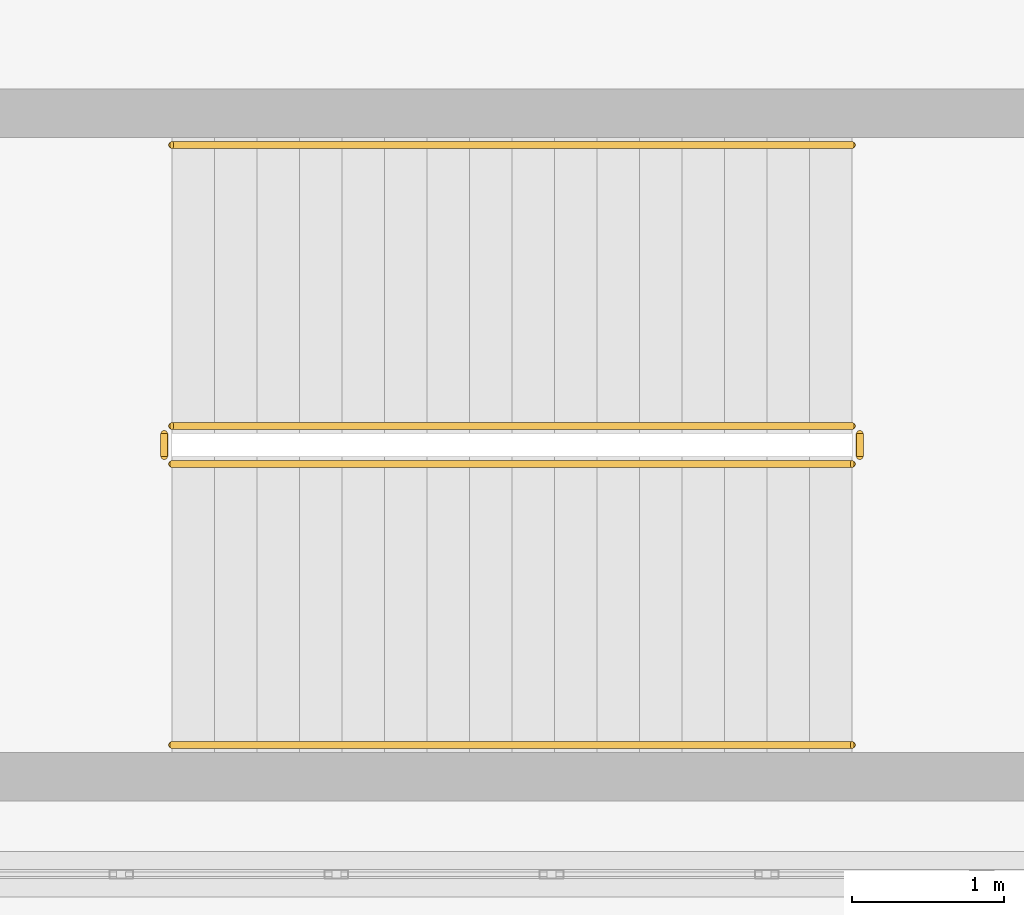
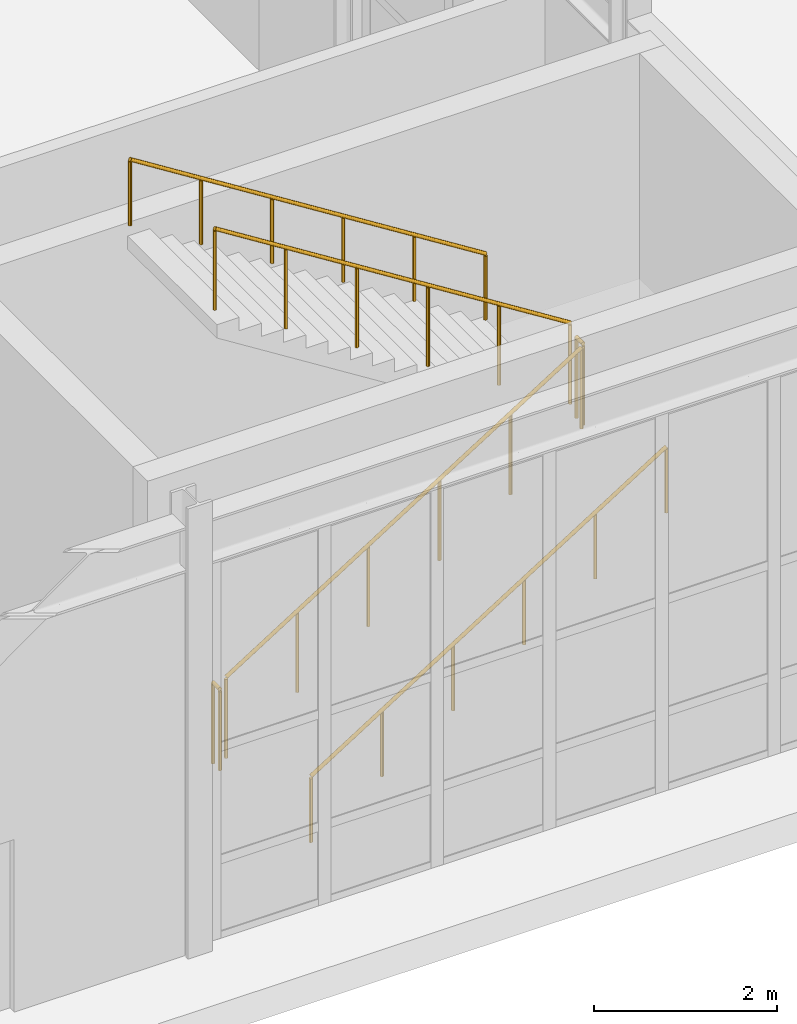
# One storey, part 132 of 146: 6 railings.
"""IFC4 building model written with IfcOpenShell, lengths in metres."""

import ifcopenshell
import ifcopenshell.guid

model = None  # the IFC model being written
_history = None  # IfcOwnerHistory: only IFC2X3 demands one
_inside = {}  # id of a spatial element -> (the spatial element, [elements in it])
_under = {}  # id of a project, library or spatial element -> (it, [spatial elements below it])
_declared = {}  # id of a project -> (the project, [libraries it declares])
_typed = {}  # id of a type object -> (the type object, [elements of that type])
_made_of = {}  # id of a material, layer set ... -> (it, [elements and type objects made of it])


def new_model(schema):
    """Start an empty IFC model of exactly this schema.

    Asked for "IFC4X3", IfcOpenShell would pick the latest addendum, in which some entities
    have other attributes; the version numbers below select the first issue.
    IFC2X3 requires an IfcOwnerHistory on every rooted entity: one is made here for all.
    """
    global model, _history
    if schema == "IFC4X3":
        model = ifcopenshell.file(schema_version=(4, 3, 0, 0))
    else:
        model = ifcopenshell.file(schema=schema)
    _inside.clear()
    _under.clear()
    _declared.clear()
    _typed.clear()
    _made_of.clear()
    _history = None
    if model.schema == "IFC2X3":
        org = make("IfcOrganization", Name="unknown")
        user = make(
            "IfcPersonAndOrganization",
            ThePerson=make("IfcPerson", FamilyName="unknown"),
            TheOrganization=org,
        )
        app = make(
            "IfcApplication",
            ApplicationDeveloper=org,
            Version="unknown",
            ApplicationFullName="unknown",
            ApplicationIdentifier="unknown",
        )
        _history = make(
            "IfcOwnerHistory",
            OwningUser=user,
            OwningApplication=app,
            ChangeAction="ADDED",
            CreationDate=0,
        )
    return model


def make(cls, **values):
    """One entity of the class cls with the attributes given. An attribute that is None is left unset."""
    return model.create_entity(
        cls, **{name: value for name, value in values.items() if value is not None}
    )


def rooted(cls, **values):
    """An entity with a GlobalId (a new one), such as an element, a storey or a relation."""
    return make(cls, GlobalId=ifcopenshell.guid.new(), OwnerHistory=_history, **values)


def si_unit(unit_type, name, prefix=None):
    """IfcSIUnit, for example si_unit("LENGTHUNIT", "METRE", prefix="MILLI")."""
    return make("IfcSIUnit", UnitType=unit_type, Prefix=prefix, Name=name)


def assignment(units):
    """IfcUnitAssignment: the units of a project."""
    return None if units is None else make("IfcUnitAssignment", Units=units)


def point(xyz):
    """IfcCartesianPoint."""
    return None if xyz is None else make("IfcCartesianPoint", Coordinates=xyz)


def direction(xyz):
    """IfcDirection."""
    return None if xyz is None else make("IfcDirection", DirectionRatios=xyz)


def frame(location, z_axis=None, x_axis=None):
    """IfcAxis2Placement3D, a coordinate frame: its origin and axes. An axis left out is left unset."""
    return make(
        "IfcAxis2Placement3D",
        Location=point(location),
        Axis=direction(z_axis),
        RefDirection=direction(x_axis),
    )


def frame_2d(location, x_axis=None):
    """IfcAxis2Placement2D, a coordinate frame in the plane: its origin and x axis."""
    return make(
        "IfcAxis2Placement2D", Location=point(location), RefDirection=direction(x_axis)
    )


def origin():
    """The frame at (0, 0, 0) with its axes left unset."""
    return frame((0.0, 0.0, 0.0))


def origin_2d():
    """The frame at (0, 0) in the plane with its x axis left unset."""
    return frame_2d((0.0, 0.0))


def place(relative_to, where):
    """IfcLocalPlacement: puts the frame where relative to a parent placement (None: the world)."""
    return make(
        "IfcLocalPlacement", PlacementRelTo=relative_to, RelativePlacement=where
    )


def context(
    kind, dimensions, precision=None, world=None, true_north=None, identifier=None
):
    """IfcGeometricRepresentationContext, for example the 3D "Model" context."""
    return make(
        "IfcGeometricRepresentationContext",
        ContextIdentifier=identifier,
        ContextType=kind,
        CoordinateSpaceDimension=dimensions,
        Precision=precision,
        WorldCoordinateSystem=world,
        TrueNorth=true_north,
    )


def subcontext(parent, identifier, kind, view, scale=None):
    """IfcGeometricRepresentationSubContext, for example "Body" below "Model"."""
    return make(
        "IfcGeometricRepresentationSubContext",
        ContextIdentifier=identifier,
        ContextType=kind,
        ParentContext=parent,
        TargetScale=scale,
        TargetView=view,
    )


def project(units=None, contexts=None):
    """IfcProject with its units and contexts."""
    return rooted(
        "IfcProject",
        Name="project",
        RepresentationContexts=contexts,
        UnitsInContext=assignment(units),
    )


def spatial(cls, under=None, at=None, **own):
    """A site, building, storey or space (cls), placed at a placement, below another one or the project."""
    s = rooted(cls, ObjectPlacement=at, **own)
    if under is not None:
        _under.setdefault(under.id(), (under, []))[1].append(s)
    return s


def profile(cls, at=None, kind="AREA", **sizes):
    """A parametric profile (cls). Its sizes go by their IFC names, for example OverallWidth=200.0."""
    return make(cls, ProfileType=kind, Position=at, **sizes)


def circle(**sizes):
    """IfcCircleProfileDef."""
    return profile("IfcCircleProfileDef", **sizes)


def extrude(swept, where, along, depth):
    """IfcExtrudedAreaSolid: the profile swept, set in the frame where, extruded along a direction by depth."""
    return make(
        "IfcExtrudedAreaSolid",
        SweptArea=swept,
        Position=where,
        ExtrudedDirection=direction(along),
        Depth=depth,
    )


def shape(context_of_items, identifier, shape_type, items):
    """IfcShapeRepresentation: the items that make up one representation, for example the "Body"."""
    return make(
        "IfcShapeRepresentation",
        ContextOfItems=context_of_items,
        RepresentationIdentifier=identifier,
        RepresentationType=shape_type,
        Items=items,
    )


def material(Name=None, Category=None):
    """IfcMaterial."""
    return make("IfcMaterial", Name=Name, Category=Category)


def made_of(thing, what):
    """Note that an element or type object is made of a material, layer set ...; save() writes the relation."""
    if what is not None:
        _made_of.setdefault(what.id(), (what, []))[1].append(thing)
    return thing


def type_object(cls, material=None, **own):
    """A type object (cls), such as IfcWallType, which elements share."""
    return made_of(rooted(cls, **own), material)


def element(
    cls,
    number,
    at=None,
    inside=None,
    cuts=None,
    type_object=None,
    material=None,
    context=None,
    identifier="Body",
    shape_type=None,
    held_by="IfcProductDefinitionShape",
    body=None,
    shapes=None,
    **own,
):
    """One element of the class cls, such as IfcWall. Its Tag is "e" and its number.

    at: its placement. inside: the storey or other place that contains it. cuts: it is an
    opening in that element (IfcRelVoidsElement). A single representation is given by context,
    identifier, shape_type and body (its items); several are given by shapes. held_by: the class
    of the entity that holds the representations. save() writes the other relations.
    """
    e = rooted(cls, Tag="e%d" % number, ObjectPlacement=at, **own)
    if body is not None:
        shapes = [shape(context, identifier, shape_type, body)]
    if shapes is not None:
        e.Representation = make(held_by, Representations=shapes)
    if inside is not None:
        _inside.setdefault(inside.id(), (inside, []))[1].append(e)
    if cuts is not None:
        rooted(
            "IfcRelVoidsElement", RelatingBuildingElement=cuts, RelatedOpeningElement=e
        )
    if type_object is not None:
        _typed.setdefault(type_object.id(), (type_object, []))[1].append(e)
    return made_of(e, material)


def aggregate(whole, parts):
    """IfcRelAggregates: a whole, such as a stair, and the parts it consists of."""
    return rooted("IfcRelAggregates", RelatingObject=whole, RelatedObjects=parts)


def save(model, path):
    """Write the relations noted so far, then the file.

    IfcRelAggregates (storeys below a building ...), IfcRelContainedInSpatialStructure (elements
    in a storey), IfcRelDefinesByType, IfcRelAssociatesMaterial and IfcRelDeclares: one each for
    every whole, place, type object, material and project.
    """
    for whole, parts in _under.values():
        aggregate(whole, parts)
    for where, things in _inside.values():
        rooted(
            "IfcRelContainedInSpatialStructure",
            RelatedElements=things,
            RelatingStructure=where,
        )
    for kind, things in _typed.values():
        rooted("IfcRelDefinesByType", RelatedObjects=things, RelatingType=kind)
    for what, things in _made_of.values():
        rooted("IfcRelAssociatesMaterial", RelatedObjects=things, RelatingMaterial=what)
    for by, libraries in _declared.values():
        rooted("IfcRelDeclares", RelatingContext=by, RelatedDefinitions=libraries)
    model.write(path)


model = new_model("IFC4")

# Units and contexts
model_context = context("Model", 3, precision=1e-05, world=origin(), true_north=direction((0.0, 1.0)))
body_context = subcontext(model_context, "Body", "Model", "MODEL_VIEW")
ifc_project = project(units=[si_unit("LENGTHUNIT", "METRE"), si_unit("AREAUNIT", "SQUARE_METRE"), si_unit("VOLUMEUNIT", "CUBIC_METRE"), si_unit("PLANEANGLEUNIT", "RADIAN"), si_unit("MASSUNIT", "GRAM", prefix="KILO")], contexts=[model_context])

# Site, building, storey
site_placement = place(None, origin())
site = spatial("IfcSite", under=ifc_project, at=site_placement, CompositionType="ELEMENT")
building_placement = place(site_placement, origin())
building = spatial("IfcBuilding", under=site, at=building_placement, Name="Kaldris Quays Convention Centre", CompositionType="ELEMENT")
storey_placement = place(building_placement, origin())
storey = spatial("IfcBuildingStorey", under=building, at=storey_placement, Name="L00", CompositionType="ELEMENT", Elevation=0.0)

# Railings
ifc_material_1 = material(Name="Steel S355J2", Category="steel")
railing_type_1 = type_object("IfcRailingType", Name="INTERIOR GUARDRAIL GR01", PredefinedType="GUARDRAIL", material=ifc_material_1)
railing_1_placement = place(storey_placement, frame((76.0, 18.699951171875, 0.176513671875)))
element("IfcRailing", 1, at=railing_1_placement, inside=storey, type_object=railing_type_1, Name="L00 ST06 Stair Guardrail 1", PredefinedType="GUARDRAIL", context=body_context, shape_type="SweptSolid", body=[
    extrude(circle(Radius=0.02392578125, at=origin_2d()), frame((0.0, 0.0, 1.076171875), z_axis=(0.845997938375, 0.0, 0.533186166611), x_axis=(0.0, 1.0, 0.0)), (0.0, 0.0, 1.0), 5.29541015625),
    extrude(circle(Radius=0.02099609375, at=origin_2d()), origin(), (0.0, 0.0, 1.0), 1.052001953125),
    extrude(circle(Radius=0.02099609375, at=origin_2d()), frame((0.89599609375, 0.0, 0.564697265625)), (0.0, 0.0, 1.0), 1.052001953125),
    extrude(circle(Radius=0.02099609375, at=origin_2d()), frame((1.7919921875, 0.0, 1.12939453125)), (0.0, 0.0, 1.0), 1.052001953125),
    extrude(circle(Radius=0.02099609375, at=origin_2d()), frame((2.68798828125, 0.0, 1.694091796875)), (0.0, 0.0, 1.0), 1.052001953125),
    extrude(circle(Radius=0.02099609375, at=origin_2d()), frame((3.583984375, 0.0, 2.2587890625)), (0.0, 0.0, 1.0), 1.052001953125),
    extrude(circle(Radius=0.02099609375, at=origin_2d()), frame((4.47998046875, 0.0, 2.823486328125)), (0.0, 0.0, 1.0), 1.052001953125),
])
railing_2_placement = place(storey_placement, frame((80.530029296875, 18.75, 3.0)))
element("IfcRailing", 2, at=railing_2_placement, inside=storey, type_object=railing_type_1, Name="L00 ST06 Stair Guardrail 2", PredefinedType="GUARDRAIL", context=body_context, shape_type="SweptSolid", body=[
    extrude(circle(Radius=0.02392578125, at=origin_2d()), frame((0.0, 0.0, 1.076171875), z_axis=(0.0, 1.0, 0.0), x_axis=(-1.0, 0.0, 0.0)), (0.0, 0.0, 1.0), 0.14990234375),
    extrude(circle(Radius=0.02099609375, at=origin_2d()), origin(), (0.0, 0.0, 1.0), 1.052001953125),
    extrude(circle(Radius=0.02099609375, at=origin_2d()), frame((0.0, 0.14990234375, 0.0)), (0.0, 0.0, 1.0), 1.052001953125),
])
railing_3_placement = place(storey_placement, frame((80.47998046875, 18.949951171875, 3.176513671875)))
element("IfcRailing", 3, at=railing_3_placement, inside=storey, type_object=railing_type_1, Name="L00 ST06 Stair Guardrail 3", PredefinedType="GUARDRAIL", context=body_context, shape_type="SweptSolid", body=[
    extrude(circle(Radius=0.02392578125, at=origin_2d()), frame((0.0, 0.0, 1.076171875), z_axis=(-0.845997938375, 0.0, 0.533186166611), x_axis=(0.0, -1.0, 0.0)), (0.0, 0.0, 1.0), 5.29541015625),
    extrude(circle(Radius=0.02099609375, at=origin_2d()), origin(), (0.0, 0.0, 1.0), 1.052001953125),
    extrude(circle(Radius=0.02099609375, at=origin_2d()), frame((-0.89599609375, 0.0, 0.564697265625)), (0.0, 0.0, 1.0), 1.052001953125),
    extrude(circle(Radius=0.02099609375, at=origin_2d()), frame((-1.7919921875, 0.0, 1.12939453125)), (0.0, 0.0, 1.0), 1.052001953125),
    extrude(circle(Radius=0.02099609375, at=origin_2d()), frame((-2.68798828125, 0.0, 1.694091796875)), (0.0, 0.0, 1.0), 1.052001953125),
    extrude(circle(Radius=0.02099609375, at=origin_2d()), frame((-3.583984375, 0.0, 2.2587890625)), (0.0, 0.0, 1.0), 1.052001953125),
    extrude(circle(Radius=0.02099609375, at=origin_2d()), frame((-4.47998046875, 0.0, 2.823486328125)), (0.0, 0.0, 1.0), 1.052001953125),
])
railing_4_placement = place(storey_placement, frame((75.949951171875, 18.75, 0.0)))
element("IfcRailing", 4, at=railing_4_placement, inside=storey, type_object=railing_type_1, Name="L00 ST06 Stair Guardrail 4", PredefinedType="GUARDRAIL", context=body_context, shape_type="SweptSolid", body=[
    extrude(circle(Radius=0.02392578125, at=origin_2d()), frame((0.0, 0.0, 1.076171875), z_axis=(0.0, 1.0, 0.0), x_axis=(-1.0, 0.0, 0.0)), (0.0, 0.0, 1.0), 0.14990234375),
    extrude(circle(Radius=0.02099609375, at=origin_2d()), origin(), (0.0, 0.0, 1.0), 1.052001953125),
    extrude(circle(Radius=0.02099609375, at=origin_2d()), frame((0.0, 0.14990234375, 0.0)), (0.0, 0.0, 1.0), 1.052001953125),
])
ifc_material_2 = material(Name="Stainless steel 1.4301", Category="steel")
railing_type_2 = type_object("IfcRailingType", Name="STAIR HANDRAIL HR01", PredefinedType="HANDRAIL", material=ifc_material_2)
railing_5_placement = place(storey_placement, frame((76.0, 16.85009765625, 0.176513671875)))
element("IfcRailing", 5, at=railing_5_placement, inside=storey, type_object=railing_type_2, Name="L00 ST06 Flight Handrail 1", PredefinedType="HANDRAIL", context=body_context, shape_type="SweptSolid", body=[
    extrude(circle(Radius=0.02392578125, at=origin_2d()), frame((0.0, 0.0, 0.8759765625), z_axis=(0.845997938375, 0.0, 0.533186166611), x_axis=(0.0, 1.0, 0.0)), (0.0, 0.0, 1.0), 5.29541015625),
    extrude(circle(Radius=0.02099609375, at=origin_2d()), origin(), (0.0, 0.0, 1.0), 0.851806640625),
    extrude(circle(Radius=0.02099609375, at=origin_2d()), frame((0.89599609375, 0.0, 0.564697265625)), (0.0, 0.0, 1.0), 0.851806640625),
    extrude(circle(Radius=0.02099609375, at=origin_2d()), frame((1.7919921875, 0.0, 1.12939453125)), (0.0, 0.0, 1.0), 0.851806640625),
    extrude(circle(Radius=0.02099609375, at=origin_2d()), frame((2.68798828125, 0.0, 1.694091796875)), (0.0, 0.0, 1.0), 0.851806640625),
    extrude(circle(Radius=0.02099609375, at=origin_2d()), frame((3.583984375, 0.0, 2.2587890625)), (0.0, 0.0, 1.0), 0.851806640625),
    extrude(circle(Radius=0.02099609375, at=origin_2d()), frame((4.47998046875, 0.0, 2.823486328125)), (0.0, 0.0, 1.0), 0.851806640625),
])
railing_6_placement = place(storey_placement, frame((80.47998046875, 20.800048828125, 3.176513671875)))
element("IfcRailing", 6, at=railing_6_placement, inside=storey, type_object=railing_type_2, Name="L00 ST06 Flight Handrail 2", PredefinedType="HANDRAIL", context=body_context, shape_type="SweptSolid", body=[
    extrude(circle(Radius=0.02392578125, at=origin_2d()), frame((0.0, 0.0, 0.8759765625), z_axis=(-0.845997938375, 0.0, 0.533186166611), x_axis=(0.0, -1.0, 0.0)), (0.0, 0.0, 1.0), 5.29541015625),
    extrude(circle(Radius=0.02099609375, at=origin_2d()), origin(), (0.0, 0.0, 1.0), 0.851806640625),
    extrude(circle(Radius=0.02099609375, at=origin_2d()), frame((-0.89599609375, 0.0, 0.564697265625)), (0.0, 0.0, 1.0), 0.851806640625),
    extrude(circle(Radius=0.02099609375, at=origin_2d()), frame((-1.7919921875, 0.0, 1.12939453125)), (0.0, 0.0, 1.0), 0.851806640625),
    extrude(circle(Radius=0.02099609375, at=origin_2d()), frame((-2.68798828125, 0.0, 1.694091796875)), (0.0, 0.0, 1.0), 0.851806640625),
    extrude(circle(Radius=0.02099609375, at=origin_2d()), frame((-3.583984375, 0.0, 2.2587890625)), (0.0, 0.0, 1.0), 0.851806640625),
    extrude(circle(Radius=0.02099609375, at=origin_2d()), frame((-4.47998046875, 0.0, 2.823486328125)), (0.0, 0.0, 1.0), 0.851806640625),
])

save(model, "model.ifc")
